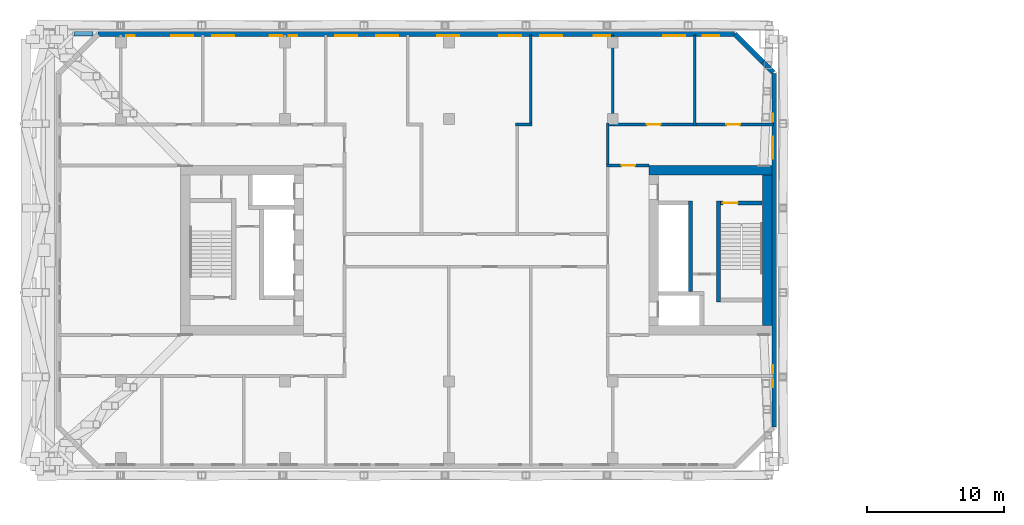
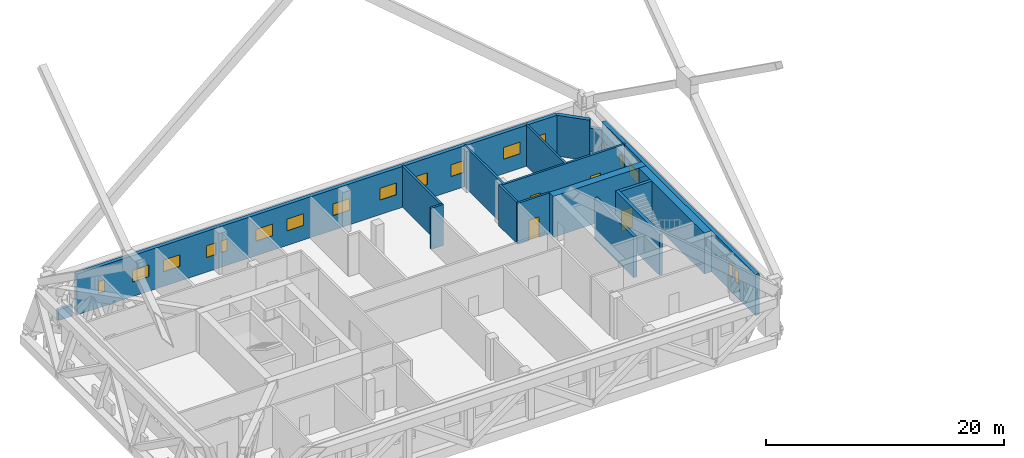
# One storey, part 10 of 20: 17 walls, 17 windows, 4 doors, 21 openings.
"""IFC4 building model written with IfcOpenShell, lengths in metres."""

from ifc_helpers import new_model, si_unit, direction, frame, frame_2d, origin, place, context, subcontext, project, spatial, rectangle, extrude, material, layer, layer_set, type_object, element, fill, save


model = new_model("IFC4")

# Units and contexts
model_context = context("Model", 3, precision=1e-05, world=origin(), true_north=direction((0.0, 1.0)))
body_context = subcontext(model_context, "Body", "Model", "MODEL_VIEW")
ifc_project = project(units=[si_unit("LENGTHUNIT", "METRE"), si_unit("AREAUNIT", "SQUARE_METRE"), si_unit("VOLUMEUNIT", "CUBIC_METRE"), si_unit("PLANEANGLEUNIT", "RADIAN"), si_unit("MASSUNIT", "GRAM", prefix="KILO")], contexts=[model_context])

# Site, building, storey
site_placement = place(None, origin())
site = spatial("IfcSite", under=ifc_project, at=site_placement, CompositionType="ELEMENT")
building_placement = place(site_placement, origin())
building = spatial("IfcBuilding", under=site, at=building_placement, Name="Tuart Gate Housing", CompositionType="ELEMENT")
storey_placement = place(building_placement, frame((0.0, 0.0, 62.89990234375)))
storey = spatial("IfcBuildingStorey", under=building, at=storey_placement, Name="L17", CompositionType="ELEMENT", Elevation=62.89990234375)

# Wall
ifc_material_1 = material(Name="Brick", Category="masonry")
ifc_layer_1 = layer(ifc_material_1, 0.300048828125)
ifc_layer_set_1 = layer_set([ifc_layer_1], Name="Brick parapet wall 300")
wall_type_1 = type_object("IfcWallType", Name="Brick parapet wall 300", PredefinedType="PARAPET", material=ifc_layer_set_1)
wall_1_placement = place(storey_placement, frame((25.949951171875, 85.85009765625, 0.0), z_axis=(0.0, 0.0, 1.0), x_axis=(-1.0, 0.0, 0.0)))
element("IfcWall", 1, at=wall_1_placement, inside=storey, type_object=wall_type_1, Name="Roof parapet A 1", PredefinedType="PARAPET", context=body_context, shape_type="SweptSolid", body=[
    extrude(rectangle(XDim=1.387939453125, YDim=0.300048828125, at=frame_2d((0.69384765625, 0.0))), origin(), (0.0, 0.0, 1.0), 1.10009765625),
])

# Wall, openings, windows
ifc_material_2 = material(Name="Brick", Category="masonry")
ifc_layer_2 = layer(ifc_material_2, 0.360107421875)
ifc_layer_set_2 = layer_set([ifc_layer_2], Name="Brick pier and spandrel wall 360")
wall_type_2 = type_object("IfcWallType", Name="Brick pier and spandrel wall 360", PredefinedType="STANDARD", material=ifc_layer_set_2)
wall_2_placement = place(storey_placement, frame((75.820068359375, 57.07470703125, 0.0), z_axis=(0.0, 0.0, 1.0), x_axis=(0.0, 1.0, 0.0)))
wall_2 = element("IfcWall", 2, at=wall_2_placement, inside=storey, type_object=wall_type_2, Name="External wall A-E L17", PredefinedType="STANDARD", context=body_context, shape_type="SweptSolid", body=[
    extrude(rectangle(XDim=25.850830078125, YDim=0.360107421875, at=frame_2d((12.92529296875, 0.0))), origin(), (0.0, 0.0, 1.0), 4.2001953125),
])
opening_1_placement = place(wall_2_placement, frame((2.89990234375, 0.0, 1.5)))
opening_1 = element("IfcOpeningElement", 3, at=opening_1_placement, cuts=wall_2, Name="Opening W3C", PredefinedType="OPENING", context=body_context, shape_type="SweptSolid", body=[
    extrude(rectangle(XDim=0.60009765625, YDim=1.199951171875, at=frame_2d((0.300048828125, 0.60009765625))), frame((0.0, 0.18994140625, 0.0), z_axis=(0.0, -1.0, 0.0), x_axis=(1.0, 0.0, 0.0)), (0.0, 0.0, 1.0), 0.380126953125),
])
opening_2_placement = place(wall_2_placement, frame((3.92529296875, 0.0, 1.5)))
opening_2 = element("IfcOpeningElement", 4, at=opening_2_placement, cuts=wall_2, Name="Opening W3C", PredefinedType="OPENING", context=body_context, shape_type="SweptSolid", body=[
    extrude(rectangle(XDim=0.60009765625, YDim=1.199951171875, at=frame_2d((0.300048828125, 0.60009765625))), frame((0.0, 0.18994140625, 0.0), z_axis=(0.0, -1.0, 0.0), x_axis=(1.0, 0.0, 0.0)), (0.0, 0.0, 1.0), 0.380126953125),
])
opening_3_placement = place(wall_2_placement, frame((19.62548828125, 0.0, 1.5)))
opening_3 = element("IfcOpeningElement", 5, at=opening_3_placement, cuts=wall_2, Name="Opening W3", PredefinedType="OPENING", context=body_context, shape_type="SweptSolid", body=[
    extrude(rectangle(XDim=1.60009765625, YDim=1.199951171875, at=frame_2d((0.800048828125, 0.60009765625))), frame((0.0, 0.18994140625, 0.0), z_axis=(0.0, -1.0, 0.0), x_axis=(1.0, 0.0, 0.0)), (0.0, 0.0, 1.0), 0.380126953125),
])
opening_4_placement = place(wall_2_placement, frame((22.325439453125, 0.0, 1.5)))
opening_4 = element("IfcOpeningElement", 6, at=opening_4_placement, cuts=wall_2, Name="Opening W3C", PredefinedType="OPENING", context=body_context, shape_type="SweptSolid", body=[
    extrude(rectangle(XDim=0.60009765625, YDim=1.199951171875, at=frame_2d((0.300048828125, 0.60009765625))), frame((0.0, 0.18994140625, 0.0), z_axis=(0.0, -1.0, 0.0), x_axis=(1.0, 0.0, 0.0)), (0.0, 0.0, 1.0), 0.380126953125),
])
ifc_material_3 = material(Name="Aluminium louvre blades", Category="aluminium")
window_type_1 = type_object("IfcWindowType", Name="Louvre window 1600 x 1200", PartitioningType="DOUBLE_PANEL_HORIZONTAL", PredefinedType="WINDOW", material=ifc_material_3)
window_1_placement = place(opening_3_placement, origin())
window_1 = element("IfcWindow", 7, at=window_1_placement, inside=storey, type_object=window_type_1, Name="Louvre W3", OverallHeight=1.199951171875, OverallWidth=1.60009765625, PartitioningType="DOUBLE_PANEL_HORIZONTAL", PredefinedType="WINDOW", context=body_context, shape_type="SweptSolid", body=[
    extrude(rectangle(XDim=1.60009765625, YDim=1.199951171875, at=frame_2d((0.800048828125, 0.60009765625))), frame((0.0, 0.150146484375, 0.0), z_axis=(0.0, -1.0, 0.0), x_axis=(1.0, 0.0, 0.0)), (0.0, 0.0, 1.0), 0.06005859375),
])
fill(opening_3, window_1)
ifc_material_4 = material(Name="Aluminium louvre blades", Category="aluminium")
window_type_2 = type_object("IfcWindowType", Name="Louvre window 600 x 1200", PartitioningType="DOUBLE_PANEL_HORIZONTAL", PredefinedType="WINDOW", material=ifc_material_4)
window_2_placement = place(opening_1_placement, origin())
window_2 = element("IfcWindow", 8, at=window_2_placement, inside=storey, type_object=window_type_2, Name="Louvre W3C", OverallHeight=1.199951171875, OverallWidth=0.60009765625, PartitioningType="DOUBLE_PANEL_HORIZONTAL", PredefinedType="WINDOW", context=body_context, shape_type="SweptSolid", body=[
    extrude(rectangle(XDim=0.60009765625, YDim=1.199951171875, at=frame_2d((0.300048828125, 0.60009765625))), frame((0.0, 0.150146484375, 0.0), z_axis=(0.0, -1.0, 0.0), x_axis=(1.0, 0.0, 0.0)), (0.0, 0.0, 1.0), 0.06005859375),
])
fill(opening_1, window_2)
window_3_placement = place(opening_2_placement, origin())
window_3 = element("IfcWindow", 9, at=window_3_placement, inside=storey, type_object=window_type_2, Name="Louvre W3C", OverallHeight=1.199951171875, OverallWidth=0.60009765625, PartitioningType="DOUBLE_PANEL_HORIZONTAL", PredefinedType="WINDOW", context=body_context, shape_type="SweptSolid", body=[
    extrude(rectangle(XDim=0.60009765625, YDim=1.199951171875, at=frame_2d((0.300048828125, 0.60009765625))), frame((0.0, 0.150146484375, 0.0), z_axis=(0.0, -1.0, 0.0), x_axis=(1.0, 0.0, 0.0)), (0.0, 0.0, 1.0), 0.06005859375),
])
fill(opening_2, window_3)
window_4_placement = place(opening_4_placement, origin())
window_4 = element("IfcWindow", 10, at=window_4_placement, inside=storey, type_object=window_type_2, Name="Louvre W3C", OverallHeight=1.199951171875, OverallWidth=0.60009765625, PartitioningType="DOUBLE_PANEL_HORIZONTAL", PredefinedType="WINDOW", context=body_context, shape_type="SweptSolid", body=[
    extrude(rectangle(XDim=0.60009765625, YDim=1.199951171875, at=frame_2d((0.300048828125, 0.60009765625))), frame((0.0, 0.150146484375, 0.0), z_axis=(0.0, -1.0, 0.0), x_axis=(1.0, 0.0, 0.0)), (0.0, 0.0, 1.0), 0.06005859375),
])
fill(opening_4, window_4)

# Walls
wall_3_placement = place(storey_placement, frame((75.74609375, 82.999267578125, 0.953125), z_axis=(0.0, 0.0, 1.0), x_axis=(-0.706994764273, 0.707218780358, 0.0)))
element("IfcWall", 11, at=wall_3_placement, inside=storey, type_object=wall_type_2, Name="External wall A-NE L17", PredefinedType="STANDARD", context=body_context, shape_type="SweptSolid", body=[
    extrude(rectangle(XDim=1.08984375, YDim=0.360107421875, at=frame_2d((0.544921875, 0.0))), origin(), (0.0, 0.0, 1.0), 2.444091796875),
])
wall_4_placement = place(storey_placement, frame((74.9755859375, 83.77001953125, 0.0), z_axis=(0.0, 0.0, 1.0), x_axis=(-0.707148882153, 0.707064677713, 0.0)))
element("IfcWall", 12, at=wall_4_placement, inside=storey, type_object=wall_type_2, Name="External wall A-NE L17", PredefinedType="STANDARD", context=body_context, shape_type="SweptSolid", body=[
    extrude(rectangle(XDim=2.8994140625, YDim=0.360107421875, at=frame_2d((1.44970703125, 0.0))), origin(), (0.0, 0.0, 1.0), 4.2001953125),
])

# Wall, openings, windows
wall_5_placement = place(storey_placement, frame((72.92529296875, 85.820068359375, 0.0), z_axis=(0.0, 0.0, 1.0), x_axis=(-1.0, 0.0, 0.0)))
wall_5 = element("IfcWall", 13, at=wall_5_placement, inside=storey, type_object=wall_type_2, Name="External wall A-N L17", PredefinedType="STANDARD", context=body_context, shape_type="SweptSolid", body=[
    extrude(rectangle(XDim=46.600830078125, YDim=0.360107421875, at=frame_2d((23.30029296875, 0.0))), origin(), (0.0, 0.0, 1.0), 4.2001953125),
])
opening_5_placement = place(wall_5_placement, frame((1.14990234375, 0.0, 1.5)))
opening_5 = element("IfcOpeningElement", 14, at=opening_5_placement, cuts=wall_5, Name="Opening W3A", PredefinedType="OPENING", context=body_context, shape_type="SweptSolid", body=[
    extrude(rectangle(XDim=1.199951171875, YDim=1.199951171875, at=frame_2d((0.60009765625, 0.60009765625))), frame((0.0, 0.18994140625, 0.0), z_axis=(0.0, -1.0, 0.0), x_axis=(1.0, 0.0, 0.0)), (0.0, 0.0, 1.0), 0.380126953125),
])
opening_6_placement = place(wall_5_placement, frame((3.62548828125, 0.0, 1.5)))
opening_6 = element("IfcOpeningElement", 15, at=opening_6_placement, cuts=wall_5, Name="Opening W3", PredefinedType="OPENING", context=body_context, shape_type="SweptSolid", body=[
    extrude(rectangle(XDim=1.60009765625, YDim=1.199951171875, at=frame_2d((0.800048828125, 0.60009765625))), frame((0.0, 0.18994140625, 0.0), z_axis=(0.0, -1.0, 0.0), x_axis=(1.0, 0.0, 0.0)), (0.0, 0.0, 1.0), 0.380126953125),
])
opening_7_placement = place(wall_5_placement, frame((9.12548828125, 0.0, 1.5)))
opening_7 = element("IfcOpeningElement", 16, at=opening_7_placement, cuts=wall_5, Name="Opening W3A", PredefinedType="OPENING", context=body_context, shape_type="SweptSolid", body=[
    extrude(rectangle(XDim=1.199951171875, YDim=1.199951171875, at=frame_2d((0.60009765625, 0.60009765625))), frame((0.0, 0.18994140625, 0.0), z_axis=(0.0, -1.0, 0.0), x_axis=(1.0, 0.0, 0.0)), (0.0, 0.0, 1.0), 0.380126953125),
])
opening_8_placement = place(wall_5_placement, frame((12.62548828125, 0.0, 1.5)))
opening_8 = element("IfcOpeningElement", 17, at=opening_8_placement, cuts=wall_5, Name="Opening W3", PredefinedType="OPENING", context=body_context, shape_type="SweptSolid", body=[
    extrude(rectangle(XDim=1.60009765625, YDim=1.199951171875, at=frame_2d((0.800048828125, 0.60009765625))), frame((0.0, 0.18994140625, 0.0), z_axis=(0.0, -1.0, 0.0), x_axis=(1.0, 0.0, 0.0)), (0.0, 0.0, 1.0), 0.380126953125),
])
opening_9_placement = place(wall_5_placement, frame((15.62548828125, 0.0, 1.5)))
opening_9 = element("IfcOpeningElement", 18, at=opening_9_placement, cuts=wall_5, Name="Opening W3", PredefinedType="OPENING", context=body_context, shape_type="SweptSolid", body=[
    extrude(rectangle(XDim=1.60009765625, YDim=1.199951171875, at=frame_2d((0.800048828125, 0.60009765625))), frame((0.0, 0.18994140625, 0.0), z_axis=(0.0, -1.0, 0.0), x_axis=(1.0, 0.0, 0.0)), (0.0, 0.0, 1.0), 0.380126953125),
])
opening_10_placement = place(wall_5_placement, frame((20.17529296875, 0.0, 1.5)))
opening_10 = element("IfcOpeningElement", 19, at=opening_10_placement, cuts=wall_5, Name="Opening W3", PredefinedType="OPENING", context=body_context, shape_type="SweptSolid", body=[
    extrude(rectangle(XDim=1.60009765625, YDim=1.199951171875, at=frame_2d((0.800048828125, 0.60009765625))), frame((0.0, 0.18994140625, 0.0), z_axis=(0.0, -1.0, 0.0), x_axis=(1.0, 0.0, 0.0)), (0.0, 0.0, 1.0), 0.380126953125),
])
opening_11_placement = place(wall_5_placement, frame((24.62548828125, 0.0, 1.5)))
opening_11 = element("IfcOpeningElement", 20, at=opening_11_placement, cuts=wall_5, Name="Opening W3", PredefinedType="OPENING", context=body_context, shape_type="SweptSolid", body=[
    extrude(rectangle(XDim=1.60009765625, YDim=1.199951171875, at=frame_2d((0.800048828125, 0.60009765625))), frame((0.0, 0.18994140625, 0.0), z_axis=(0.0, -1.0, 0.0), x_axis=(1.0, 0.0, 0.0)), (0.0, 0.0, 1.0), 0.380126953125),
])
opening_12_placement = place(wall_5_placement, frame((27.62548828125, 0.0, 1.5)))
opening_12 = element("IfcOpeningElement", 21, at=opening_12_placement, cuts=wall_5, Name="Opening W3", PredefinedType="OPENING", context=body_context, shape_type="SweptSolid", body=[
    extrude(rectangle(XDim=1.60009765625, YDim=1.199951171875, at=frame_2d((0.800048828125, 0.60009765625))), frame((0.0, 0.18994140625, 0.0), z_axis=(0.0, -1.0, 0.0), x_axis=(1.0, 0.0, 0.0)), (0.0, 0.0, 1.0), 0.380126953125),
])
opening_13_placement = place(wall_5_placement, frame((32.025390625, 0.0, 1.5)))
opening_13 = element("IfcOpeningElement", 22, at=opening_13_placement, cuts=wall_5, Name="Opening W3C", PredefinedType="OPENING", context=body_context, shape_type="SweptSolid", body=[
    extrude(rectangle(XDim=0.60009765625, YDim=1.199951171875, at=frame_2d((0.300048828125, 0.60009765625))), frame((0.0, 0.18994140625, 0.0), z_axis=(0.0, -1.0, 0.0), x_axis=(1.0, 0.0, 0.0)), (0.0, 0.0, 1.0), 0.380126953125),
])
opening_14_placement = place(wall_5_placement, frame((33.12548828125, 0.0, 1.5)))
opening_14 = element("IfcOpeningElement", 23, at=opening_14_placement, cuts=wall_5, Name="Opening W3B", PredefinedType="OPENING", context=body_context, shape_type="SweptSolid", body=[
    extrude(rectangle(XDim=0.89990234375, YDim=1.199951171875, at=frame_2d((0.449951171875, 0.60009765625))), frame((0.0, 0.18994140625, 0.0), z_axis=(0.0, -1.0, 0.0), x_axis=(1.0, 0.0, 0.0)), (0.0, 0.0, 1.0), 0.380126953125),
])
opening_15_placement = place(wall_5_placement, frame((36.62548828125, 0.0, 1.5)))
opening_15 = element("IfcOpeningElement", 24, at=opening_15_placement, cuts=wall_5, Name="Opening W3", PredefinedType="OPENING", context=body_context, shape_type="SweptSolid", body=[
    extrude(rectangle(XDim=1.60009765625, YDim=1.199951171875, at=frame_2d((0.800048828125, 0.60009765625))), frame((0.0, 0.18994140625, 0.0), z_axis=(0.0, -1.0, 0.0), x_axis=(1.0, 0.0, 0.0)), (0.0, 0.0, 1.0), 0.380126953125),
])
opening_16_placement = place(wall_5_placement, frame((39.62548828125, 0.0, 1.5)))
opening_16 = element("IfcOpeningElement", 25, at=opening_16_placement, cuts=wall_5, Name="Opening W3", PredefinedType="OPENING", context=body_context, shape_type="SweptSolid", body=[
    extrude(rectangle(XDim=1.60009765625, YDim=1.199951171875, at=frame_2d((0.800048828125, 0.60009765625))), frame((0.0, 0.18994140625, 0.0), z_axis=(0.0, -1.0, 0.0), x_axis=(1.0, 0.0, 0.0)), (0.0, 0.0, 1.0), 0.380126953125),
])
opening_17_placement = place(wall_5_placement, frame((43.92529296875, 0.0, 1.5)))
opening_17 = element("IfcOpeningElement", 26, at=opening_17_placement, cuts=wall_5, Name="Opening W3C", PredefinedType="OPENING", context=body_context, shape_type="SweptSolid", body=[
    extrude(rectangle(XDim=0.60009765625, YDim=1.199951171875, at=frame_2d((0.300048828125, 0.60009765625))), frame((0.0, 0.18994140625, 0.0), z_axis=(0.0, -1.0, 0.0), x_axis=(1.0, 0.0, 0.0)), (0.0, 0.0, 1.0), 0.380126953125),
])
ifc_material_5 = material(Name="Aluminium louvre blades", Category="aluminium")
window_type_3 = type_object("IfcWindowType", Name="Louvre window 1200 x 1200", PartitioningType="DOUBLE_PANEL_HORIZONTAL", PredefinedType="WINDOW", material=ifc_material_5)
window_5_placement = place(opening_5_placement, origin())
window_5 = element("IfcWindow", 27, at=window_5_placement, inside=storey, type_object=window_type_3, Name="Louvre W3A", OverallHeight=1.199951171875, OverallWidth=1.199951171875, PartitioningType="DOUBLE_PANEL_HORIZONTAL", PredefinedType="WINDOW", context=body_context, shape_type="SweptSolid", body=[
    extrude(rectangle(XDim=1.199951171875, YDim=1.199951171875, at=frame_2d((0.60009765625, 0.60009765625))), frame((0.0, 0.150146484375, 0.0), z_axis=(0.0, -1.0, 0.0), x_axis=(1.0, 0.0, 0.0)), (0.0, 0.0, 1.0), 0.06005859375),
])
fill(opening_5, window_5)
window_6_placement = place(opening_7_placement, origin())
window_6 = element("IfcWindow", 28, at=window_6_placement, inside=storey, type_object=window_type_3, Name="Louvre W3A", OverallHeight=1.199951171875, OverallWidth=1.199951171875, PartitioningType="DOUBLE_PANEL_HORIZONTAL", PredefinedType="WINDOW", context=body_context, shape_type="SweptSolid", body=[
    extrude(rectangle(XDim=1.199951171875, YDim=1.199951171875, at=frame_2d((0.60009765625, 0.60009765625))), frame((0.0, 0.150146484375, 0.0), z_axis=(0.0, -1.0, 0.0), x_axis=(1.0, 0.0, 0.0)), (0.0, 0.0, 1.0), 0.06005859375),
])
fill(opening_7, window_6)
window_7_placement = place(opening_6_placement, origin())
window_7 = element("IfcWindow", 29, at=window_7_placement, inside=storey, type_object=window_type_1, Name="Louvre W3", OverallHeight=1.199951171875, OverallWidth=1.60009765625, PartitioningType="DOUBLE_PANEL_HORIZONTAL", PredefinedType="WINDOW", context=body_context, shape_type="SweptSolid", body=[
    extrude(rectangle(XDim=1.60009765625, YDim=1.199951171875, at=frame_2d((0.800048828125, 0.60009765625))), frame((0.0, 0.150146484375, 0.0), z_axis=(0.0, -1.0, 0.0), x_axis=(1.0, 0.0, 0.0)), (0.0, 0.0, 1.0), 0.06005859375),
])
fill(opening_6, window_7)
window_8_placement = place(opening_8_placement, origin())
window_8 = element("IfcWindow", 30, at=window_8_placement, inside=storey, type_object=window_type_1, Name="Louvre W3", OverallHeight=1.199951171875, OverallWidth=1.60009765625, PartitioningType="DOUBLE_PANEL_HORIZONTAL", PredefinedType="WINDOW", context=body_context, shape_type="SweptSolid", body=[
    extrude(rectangle(XDim=1.60009765625, YDim=1.199951171875, at=frame_2d((0.800048828125, 0.60009765625))), frame((0.0, 0.150146484375, 0.0), z_axis=(0.0, -1.0, 0.0), x_axis=(1.0, 0.0, 0.0)), (0.0, 0.0, 1.0), 0.06005859375),
])
fill(opening_8, window_8)
window_9_placement = place(opening_9_placement, origin())
window_9 = element("IfcWindow", 31, at=window_9_placement, inside=storey, type_object=window_type_1, Name="Louvre W3", OverallHeight=1.199951171875, OverallWidth=1.60009765625, PartitioningType="DOUBLE_PANEL_HORIZONTAL", PredefinedType="WINDOW", context=body_context, shape_type="SweptSolid", body=[
    extrude(rectangle(XDim=1.60009765625, YDim=1.199951171875, at=frame_2d((0.800048828125, 0.60009765625))), frame((0.0, 0.150146484375, 0.0), z_axis=(0.0, -1.0, 0.0), x_axis=(1.0, 0.0, 0.0)), (0.0, 0.0, 1.0), 0.06005859375),
])
fill(opening_9, window_9)
window_10_placement = place(opening_10_placement, origin())
window_10 = element("IfcWindow", 32, at=window_10_placement, inside=storey, type_object=window_type_1, Name="Louvre W3", OverallHeight=1.199951171875, OverallWidth=1.60009765625, PartitioningType="DOUBLE_PANEL_HORIZONTAL", PredefinedType="WINDOW", context=body_context, shape_type="SweptSolid", body=[
    extrude(rectangle(XDim=1.60009765625, YDim=1.199951171875, at=frame_2d((0.800048828125, 0.60009765625))), frame((0.0, 0.150146484375, 0.0), z_axis=(0.0, -1.0, 0.0), x_axis=(1.0, 0.0, 0.0)), (0.0, 0.0, 1.0), 0.06005859375),
])
fill(opening_10, window_10)
window_11_placement = place(opening_11_placement, origin())
window_11 = element("IfcWindow", 33, at=window_11_placement, inside=storey, type_object=window_type_1, Name="Louvre W3", OverallHeight=1.199951171875, OverallWidth=1.60009765625, PartitioningType="DOUBLE_PANEL_HORIZONTAL", PredefinedType="WINDOW", context=body_context, shape_type="SweptSolid", body=[
    extrude(rectangle(XDim=1.60009765625, YDim=1.199951171875, at=frame_2d((0.800048828125, 0.60009765625))), frame((0.0, 0.150146484375, 0.0), z_axis=(0.0, -1.0, 0.0), x_axis=(1.0, 0.0, 0.0)), (0.0, 0.0, 1.0), 0.06005859375),
])
fill(opening_11, window_11)
window_12_placement = place(opening_12_placement, origin())
window_12 = element("IfcWindow", 34, at=window_12_placement, inside=storey, type_object=window_type_1, Name="Louvre W3", OverallHeight=1.199951171875, OverallWidth=1.60009765625, PartitioningType="DOUBLE_PANEL_HORIZONTAL", PredefinedType="WINDOW", context=body_context, shape_type="SweptSolid", body=[
    extrude(rectangle(XDim=1.60009765625, YDim=1.199951171875, at=frame_2d((0.800048828125, 0.60009765625))), frame((0.0, 0.150146484375, 0.0), z_axis=(0.0, -1.0, 0.0), x_axis=(1.0, 0.0, 0.0)), (0.0, 0.0, 1.0), 0.06005859375),
])
fill(opening_12, window_12)
window_13_placement = place(opening_15_placement, origin())
window_13 = element("IfcWindow", 35, at=window_13_placement, inside=storey, type_object=window_type_1, Name="Louvre W3", OverallHeight=1.199951171875, OverallWidth=1.60009765625, PartitioningType="DOUBLE_PANEL_HORIZONTAL", PredefinedType="WINDOW", context=body_context, shape_type="SweptSolid", body=[
    extrude(rectangle(XDim=1.60009765625, YDim=1.199951171875, at=frame_2d((0.800048828125, 0.60009765625))), frame((0.0, 0.150146484375, 0.0), z_axis=(0.0, -1.0, 0.0), x_axis=(1.0, 0.0, 0.0)), (0.0, 0.0, 1.0), 0.06005859375),
])
fill(opening_15, window_13)
window_14_placement = place(opening_16_placement, origin())
window_14 = element("IfcWindow", 36, at=window_14_placement, inside=storey, type_object=window_type_1, Name="Louvre W3", OverallHeight=1.199951171875, OverallWidth=1.60009765625, PartitioningType="DOUBLE_PANEL_HORIZONTAL", PredefinedType="WINDOW", context=body_context, shape_type="SweptSolid", body=[
    extrude(rectangle(XDim=1.60009765625, YDim=1.199951171875, at=frame_2d((0.800048828125, 0.60009765625))), frame((0.0, 0.150146484375, 0.0), z_axis=(0.0, -1.0, 0.0), x_axis=(1.0, 0.0, 0.0)), (0.0, 0.0, 1.0), 0.06005859375),
])
fill(opening_16, window_14)
window_15_placement = place(opening_13_placement, origin())
window_15 = element("IfcWindow", 37, at=window_15_placement, inside=storey, type_object=window_type_2, Name="Louvre W3C", OverallHeight=1.199951171875, OverallWidth=0.60009765625, PartitioningType="DOUBLE_PANEL_HORIZONTAL", PredefinedType="WINDOW", context=body_context, shape_type="SweptSolid", body=[
    extrude(rectangle(XDim=0.60009765625, YDim=1.199951171875, at=frame_2d((0.300048828125, 0.60009765625))), frame((0.0, 0.150146484375, 0.0), z_axis=(0.0, -1.0, 0.0), x_axis=(1.0, 0.0, 0.0)), (0.0, 0.0, 1.0), 0.06005859375),
])
fill(opening_13, window_15)
window_16_placement = place(opening_17_placement, origin())
window_16 = element("IfcWindow", 38, at=window_16_placement, inside=storey, type_object=window_type_2, Name="Louvre W3C", OverallHeight=1.199951171875, OverallWidth=0.60009765625, PartitioningType="DOUBLE_PANEL_HORIZONTAL", PredefinedType="WINDOW", context=body_context, shape_type="SweptSolid", body=[
    extrude(rectangle(XDim=0.60009765625, YDim=1.199951171875, at=frame_2d((0.300048828125, 0.60009765625))), frame((0.0, 0.150146484375, 0.0), z_axis=(0.0, -1.0, 0.0), x_axis=(1.0, 0.0, 0.0)), (0.0, 0.0, 1.0), 0.06005859375),
])
fill(opening_17, window_16)
ifc_material_6 = material(Name="Aluminium louvre blades", Category="aluminium")
window_type_4 = type_object("IfcWindowType", Name="Louvre window 900 x 1200", PartitioningType="DOUBLE_PANEL_HORIZONTAL", PredefinedType="WINDOW", material=ifc_material_6)
window_17_placement = place(opening_14_placement, origin())
window_17 = element("IfcWindow", 39, at=window_17_placement, inside=storey, type_object=window_type_4, Name="Louvre W3B", OverallHeight=1.199951171875, OverallWidth=0.89990234375, PartitioningType="DOUBLE_PANEL_HORIZONTAL", PredefinedType="WINDOW", context=body_context, shape_type="SweptSolid", body=[
    extrude(rectangle(XDim=0.89990234375, YDim=1.199951171875, at=frame_2d((0.449951171875, 0.60009765625))), frame((0.0, 0.150146484375, 0.0), z_axis=(0.0, -1.0, 0.0), x_axis=(1.0, 0.0, 0.0)), (0.0, 0.0, 1.0), 0.06005859375),
])
fill(opening_14, window_17)

# Wall, opening, door
ifc_material_7 = material(Name="Concrete C50", Category="concrete")
ifc_layer_3 = layer(ifc_material_7, 0.300048828125)
ifc_layer_set_3 = layer_set([ifc_layer_3], Name="Core wall 300 C50")
wall_type_3 = type_object("IfcWallType", Name="Core wall 300 C50", PredefinedType="SHEAR", material=ifc_layer_set_3)
wall_6_placement = place(storey_placement, frame((71.889892578125, 73.449951171875, 0.0), z_axis=(0.0, 0.0, 1.0), x_axis=(1.0, 0.0, 0.0)))
wall_6 = element("IfcWall", 40, at=wall_6_placement, inside=storey, type_object=wall_type_3, Name="Core wall AG.5", PredefinedType="SHEAR", context=body_context, shape_type="SweptSolid", body=[
    extrude(rectangle(XDim=3.050048828125, YDim=0.300048828125, at=frame_2d((1.52490234375, 0.0))), origin(), (0.0, 0.0, 1.0), 4.2001953125),
])
opening_18_placement = place(wall_6_placement, frame((0.169921875, 0.0, 0.0)))
opening_18 = element("IfcOpeningElement", 41, at=opening_18_placement, cuts=wall_6, Name="Opening D3322", PredefinedType="OPENING", context=body_context, shape_type="SweptSolid", body=[
    extrude(rectangle(XDim=1.10009765625, YDim=2.10009765625, at=frame_2d((0.550048828125, 1.050048828125))), frame((0.0, 0.159912109375, 0.0), z_axis=(0.0, -1.0, 0.0), x_axis=(1.0, 0.0, 0.0)), (0.0, 0.0, 1.0), 0.320068359375),
])
ifc_material_8 = material(Name="Steel fire door", Category="steel")
door_type_1 = type_object("IfcDoorType", Name="Stair door 1100 x 2100 RH", OperationType="SINGLE_SWING_RIGHT", PredefinedType="DOOR", material=ifc_material_8)
door_1_placement = place(opening_18_placement, frame((1.10009765625, 0.0, 0.0), z_axis=(0.0, 0.0, 1.0), x_axis=(-1.0, 0.0, 0.0)))
door_1 = element("IfcDoor", 42, at=door_1_placement, inside=storey, type_object=door_type_1, Name="Stair door AG.SD", OperationType="SINGLE_SWING_RIGHT", OverallHeight=2.10009765625, OverallWidth=1.10009765625, PredefinedType="DOOR", context=body_context, shape_type="SweptSolid", body=[
    extrude(rectangle(XDim=1.10009765625, YDim=2.10009765625, at=frame_2d((0.550048828125, 1.050048828125))), frame((0.0, 0.025146484375, 0.0), z_axis=(0.0, -1.0, 0.0), x_axis=(1.0, 0.0, 0.0)), (0.0, 0.0, 1.0), 0.050048828125),
])
fill(opening_18, door_1)

# Walls
wall_7_placement = place(storey_placement, frame((69.68994140625, 67.0, 0.0), z_axis=(0.0, 0.0, 1.0), x_axis=(0.0, 1.0, 0.0)))
element("IfcWall", 43, at=wall_7_placement, inside=storey, type_object=wall_type_3, Name="Core wall AG.6", PredefinedType="SHEAR", context=body_context, shape_type="SweptSolid", body=[
    extrude(rectangle(XDim=6.60009765625, YDim=0.300048828125, at=frame_2d((3.300048828125, 0.0))), origin(), (0.0, 0.0, 1.0), 4.2001953125),
])
wall_8_placement = place(storey_placement, frame((71.739990234375, 66.199951171875, 0.0), z_axis=(0.0, 0.0, 1.0), x_axis=(0.0, 1.0, 0.0)))
element("IfcWall", 44, at=wall_8_placement, inside=storey, type_object=wall_type_3, Name="Core wall AG.8", PredefinedType="SHEAR", context=body_context, shape_type="SweptSolid", body=[
    extrude(rectangle(XDim=7.400146484375, YDim=0.300048828125, at=frame_2d((3.7001953125, 0.0))), origin(), (0.0, 0.0, 1.0), 4.2001953125),
])
ifc_material_9 = material(Name="Concrete C50", Category="concrete")
ifc_layer_4 = layer(ifc_material_9, 0.699951171875)
ifc_layer_set_4 = layer_set([ifc_layer_4], Name="Core wall 700 C50")
wall_type_4 = type_object("IfcWallType", Name="Core wall 700 C50", PredefinedType="SHEAR", material=ifc_layer_set_4)
wall_9_placement = place(storey_placement, frame((75.2900390625, 64.5, 0.0), z_axis=(0.0, 0.0, 1.0), x_axis=(0.0, 1.0, 0.0)))
element("IfcWall", 45, at=wall_9_placement, inside=storey, type_object=wall_type_4, Name="Core wall AG back", PredefinedType="SHEAR", context=body_context, shape_type="SweptSolid", body=[
    extrude(rectangle(XDim=11.0, YDim=0.699951171875, at=frame_2d((5.5, 0.0))), origin(), (0.0, 0.0, 1.0), 4.2001953125),
])
wall_10_placement = place(storey_placement, frame((66.639892578125, 75.85009765625, 0.0), z_axis=(0.0, 0.0, 1.0), x_axis=(1.0, 0.0, 0.0)))
element("IfcWall", 46, at=wall_10_placement, inside=storey, type_object=wall_type_4, Name="Core wall AG north", PredefinedType="SHEAR", context=body_context, shape_type="SweptSolid", body=[
    extrude(rectangle(XDim=9.0, YDim=0.699951171875, at=frame_2d((4.5, 0.0))), origin(), (0.0, 0.0, 1.0), 4.2001953125),
])

# Wall, opening, door
ifc_material_10 = material(Name="Concrete masonry 15 MPa", Category="masonry")
ifc_layer_5 = layer(ifc_material_10, 0.199951171875)
ifc_layer_set_5 = layer_set([ifc_layer_5], Name="Enclosure wall masonry 200")
wall_type_5 = type_object("IfcWallType", Name="Enclosure wall masonry 200", PredefinedType="PARTITIONING", material=ifc_layer_set_5)
wall_11_placement = place(storey_placement, frame((63.5400390625, 76.199951171875, 0.0), z_axis=(0.0, 0.0, 1.0), x_axis=(1.0, 0.0, 0.0)))
wall_11 = element("IfcWall", 47, at=wall_11_placement, inside=storey, type_object=wall_type_5, Name="Enclosure wall masonry 200", PredefinedType="PARTITIONING", context=body_context, shape_type="SweptSolid", body=[
    extrude(rectangle(XDim=3.099853515625, YDim=0.199951171875, at=frame_2d((1.5498046875, 0.0))), origin(), (0.0, 0.0, 1.0), 4.2001953125),
])
opening_19_placement = place(wall_11_placement, frame((1.10009765625, 0.0, 0.0)))
opening_19 = element("IfcOpeningElement", 48, at=opening_19_placement, cuts=wall_11, Name="Opening D3320", PredefinedType="OPENING", context=body_context, shape_type="SweptSolid", body=[
    extrude(rectangle(XDim=1.0, YDim=2.10009765625, at=frame_2d((0.5, 1.050048828125))), frame((0.0, 0.10986328125, 0.0), z_axis=(0.0, -1.0, 0.0), x_axis=(1.0, 0.0, 0.0)), (0.0, 0.0, 1.0), 0.219970703125),
])
ifc_material_11 = material(Name="Timber door leaf in steel frame", Category="steel")
door_type_2 = type_object("IfcDoorType", Name="Lobby door 1000", OperationType="SINGLE_SWING_LEFT", PredefinedType="DOOR", material=ifc_material_11)
door_2_placement = place(opening_19_placement, origin())
door_2 = element("IfcDoor", 49, at=door_2_placement, inside=storey, type_object=door_type_2, Name="Lobby door 1000", OperationType="SINGLE_SWING_LEFT", OverallHeight=2.10009765625, OverallWidth=1.0, PredefinedType="DOOR", context=body_context, shape_type="SweptSolid", body=[
    extrude(rectangle(XDim=1.0, YDim=2.10009765625, at=frame_2d((0.5, 1.050048828125))), frame((0.0, 0.02490234375, 0.0), z_axis=(0.0, -1.0, 0.0), x_axis=(1.0, 0.0, 0.0)), (0.0, 0.0, 1.0), 0.050048828125),
])
fill(opening_19, door_2)

# Wall
wall_12_placement = place(storey_placement, frame((56.89990234375, 79.199951171875, 0.0), z_axis=(0.0, 0.0, 1.0), x_axis=(1.0, 0.0, 0.0)))
element("IfcWall", 50, at=wall_12_placement, inside=storey, type_object=wall_type_5, Name="Enclosure wall masonry 200", PredefinedType="PARTITIONING", context=body_context, shape_type="SweptSolid", body=[
    extrude(rectangle(XDim=1.2001953125, YDim=0.199951171875, at=frame_2d((0.60009765625, 0.0))), origin(), (0.0, 0.0, 1.0), 4.2001953125),
])

# Wall, openings, doors
wall_13_placement = place(storey_placement, frame((63.5400390625, 79.199951171875, 0.0), z_axis=(0.0, 0.0, 1.0), x_axis=(1.0, 0.0, 0.0)))
wall_13 = element("IfcWall", 51, at=wall_13_placement, inside=storey, type_object=wall_type_5, Name="Enclosure wall masonry 200", PredefinedType="PARTITIONING", context=body_context, shape_type="SweptSolid", body=[
    extrude(rectangle(XDim=12.219970703125, YDim=0.199951171875, at=frame_2d((6.10986328125, 0.0))), origin(), (0.0, 0.0, 1.0), 4.2001953125),
])
opening_20_placement = place(wall_13_placement, frame((2.9599609375, 0.0, 0.0)))
opening_20 = element("IfcOpeningElement", 52, at=opening_20_placement, cuts=wall_13, Name="Opening D3316", PredefinedType="OPENING", context=body_context, shape_type="SweptSolid", body=[
    extrude(rectangle(XDim=1.0, YDim=2.10009765625, at=frame_2d((0.5, 1.050048828125))), frame((0.0, 0.10986328125, 0.0), z_axis=(0.0, -1.0, 0.0), x_axis=(1.0, 0.0, 0.0)), (0.0, 0.0, 1.0), 0.219970703125),
])
opening_21_placement = place(wall_13_placement, frame((8.780029296875, 0.0, 0.0)))
opening_21 = element("IfcOpeningElement", 53, at=opening_21_placement, cuts=wall_13, Name="Opening D3317", PredefinedType="OPENING", context=body_context, shape_type="SweptSolid", body=[
    extrude(rectangle(XDim=1.0, YDim=2.10009765625, at=frame_2d((0.5, 1.050048828125))), frame((0.0, 0.10986328125, 0.0), z_axis=(0.0, -1.0, 0.0), x_axis=(1.0, 0.0, 0.0)), (0.0, 0.0, 1.0), 0.219970703125),
])
ifc_material_12 = material(Name="Timber door leaf in steel frame", Category="steel")
door_type_3 = type_object("IfcDoorType", Name="Fire door 1000", OperationType="SINGLE_SWING_LEFT", PredefinedType="DOOR", material=ifc_material_12)
door_3_placement = place(opening_20_placement, origin())
door_3 = element("IfcDoor", 54, at=door_3_placement, inside=storey, type_object=door_type_3, Name="Fire door 1000", OperationType="SINGLE_SWING_LEFT", OverallHeight=2.10009765625, OverallWidth=1.0, PredefinedType="DOOR", context=body_context, shape_type="SweptSolid", body=[
    extrude(rectangle(XDim=1.0, YDim=2.10009765625, at=frame_2d((0.5, 1.050048828125))), frame((0.0, 0.02490234375, 0.0), z_axis=(0.0, -1.0, 0.0), x_axis=(1.0, 0.0, 0.0)), (0.0, 0.0, 1.0), 0.050048828125),
])
fill(opening_20, door_3)
door_4_placement = place(opening_21_placement, origin())
door_4 = element("IfcDoor", 55, at=door_4_placement, inside=storey, type_object=door_type_3, Name="Fire door 1000", OperationType="SINGLE_SWING_LEFT", OverallHeight=2.10009765625, OverallWidth=1.0, PredefinedType="DOOR", context=body_context, shape_type="SweptSolid", body=[
    extrude(rectangle(XDim=1.0, YDim=2.10009765625, at=frame_2d((0.5, 1.050048828125))), frame((0.0, 0.02490234375, 0.0), z_axis=(0.0, -1.0, 0.0), x_axis=(1.0, 0.0, 0.0)), (0.0, 0.0, 1.0), 0.050048828125),
])
fill(opening_21, door_4)

# Walls
wall_14_placement = place(storey_placement, frame((58.0, 79.10009765625, 0.0), z_axis=(0.0, 0.0, 1.0), x_axis=(0.0, 1.0, 0.0)))
element("IfcWall", 56, at=wall_14_placement, inside=storey, type_object=wall_type_5, Name="Enclosure wall masonry 200", PredefinedType="PARTITIONING", context=body_context, shape_type="SweptSolid", body=[
    extrude(rectangle(XDim=6.659912109375, YDim=0.199951171875, at=frame_2d((3.330078125, 0.0))), origin(), (0.0, 0.0, 1.0), 4.2001953125),
])
wall_15_placement = place(storey_placement, frame((63.639892578125, 76.10009765625, 0.0), z_axis=(0.0, 0.0, 1.0), x_axis=(0.0, 1.0, 0.0)))
element("IfcWall", 57, at=wall_15_placement, inside=storey, type_object=wall_type_5, Name="Enclosure wall masonry 200", PredefinedType="PARTITIONING", context=body_context, shape_type="SweptSolid", body=[
    extrude(rectangle(XDim=3.199951171875, YDim=0.199951171875, at=frame_2d((1.60009765625, 0.0))), origin(), (0.0, 0.0, 1.0), 4.2001953125),
])
for number, where, z_axis, x_axis, name in (
    (58, (64.0, 79.10009765625, 0.0), (0.0, 0.0, 1.0), (0.0, 1.0, 0.0), "Enclosure wall masonry 200"),
    (59, (70.0, 79.10009765625, 0.0), (0.0, 0.0, 1.0), (0.0, 1.0, 0.0), "Enclosure wall masonry 200"),
):
    element("IfcWall", number, at=place(storey_placement, frame(where, z_axis=z_axis, x_axis=x_axis)), inside=storey, type_object=wall_type_5, Name=name, PredefinedType="PARTITIONING", context=body_context, shape_type="SweptSolid", body=[
        extrude(rectangle(XDim=6.659912109375, YDim=0.199951171875, at=frame_2d((3.330078125, 0.0))), origin(), (0.0, 0.0, 1.0), 4.2001953125),
    ])

save(model, "model.ifc")
